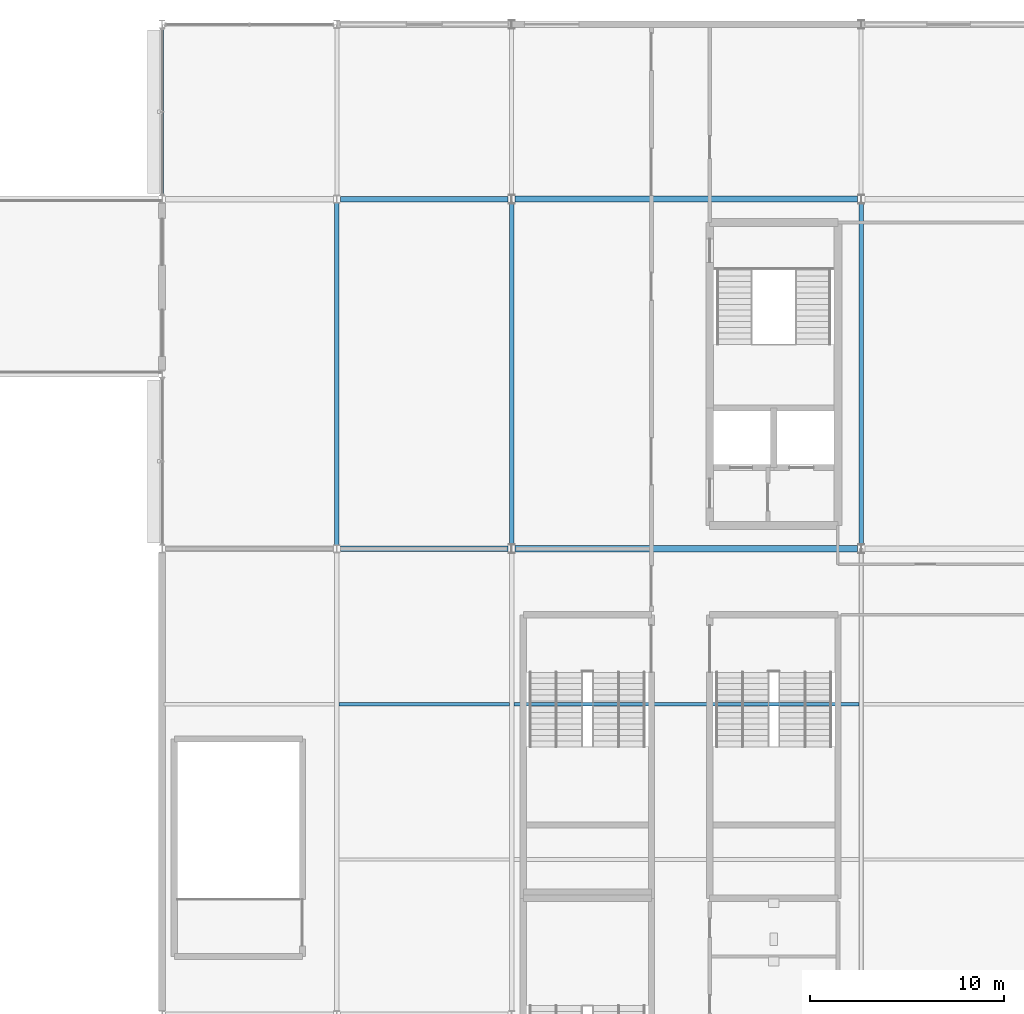
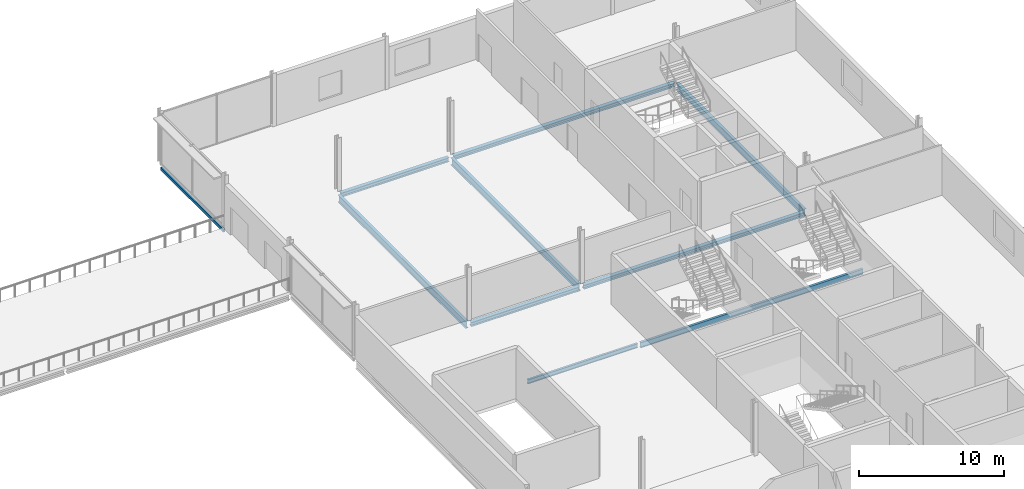
# One storey, part 32 of 73: 10 beams.
"""IFC4 building model written with IfcOpenShell, lengths in metres."""

from ifc_helpers import new_model, si_unit, direction, frame, origin, origin_2d, place, context, subcontext, project, spatial, hollow_rectangle, i_section, extrude, material, material_profile, profile_set, type_object, element, save


model = new_model("IFC4")

# Units and contexts
model_context = context("Model", 3, precision=1e-05, world=origin(), true_north=direction((0.0, 1.0)))
body_context = subcontext(model_context, "Body", "Model", "MODEL_VIEW")
ifc_project = project(units=[si_unit("LENGTHUNIT", "METRE"), si_unit("AREAUNIT", "SQUARE_METRE"), si_unit("VOLUMEUNIT", "CUBIC_METRE"), si_unit("PLANEANGLEUNIT", "RADIAN"), si_unit("MASSUNIT", "GRAM", prefix="KILO")], contexts=[model_context])

# Site, building, storey
site_placement = place(None, origin())
site = spatial("IfcSite", under=ifc_project, at=site_placement, CompositionType="ELEMENT")
building_placement = place(site_placement, origin())
building = spatial("IfcBuilding", under=site, at=building_placement, Name="Kisiwana Market Hall", CompositionType="ELEMENT")
storey_placement = place(building_placement, frame((0.0, 0.0, 33.300048828125)))
storey = spatial("IfcBuildingStorey", under=building, at=storey_placement, Name="L07", CompositionType="ELEMENT", Elevation=33.300048828125)

# Beams
ifc_material_1 = material(Name="Steel S355", Category="steel")
ifc_material_profile_1 = material_profile(ifc_material_1, i_section(OverallWidth=0.300048828125, OverallDepth=0.360107421875, WebThickness=0.012451171875, FlangeThickness=0.0224609375, at=origin_2d()), Name="HEB 360")
ifc_profile_set_1 = profile_set([ifc_material_profile_1], Name="Steel S355")
beam_type_1 = type_object("IfcBeamType", Name="BM-GIRD-HEB360", PredefinedType="BEAM", material=ifc_profile_set_1)
for number, where, z_axis, x_axis, name in (
    (1, (162.18115234375, 84.0, -0.4599609375), (1.0, 0.0, 0.0), (0.0, 1.0, 0.0), "Floor beam B-1998"),
    (2, (162.18115234375, 102.0, -0.4599609375), (1.0, 0.0, 0.0), (0.0, 1.0, 0.0), "Floor beam B-2018"),
):
    element("IfcBeam", number, at=place(storey_placement, frame(where, z_axis=z_axis, x_axis=x_axis)), inside=storey, type_object=beam_type_1, Name=name, PredefinedType="BEAM", context=body_context, shape_type="SweptSolid", body=[
        extrude(i_section(OverallWidth=0.300048828125, OverallDepth=0.360107421875, WebThickness=0.012451171875, FlangeThickness=0.0224609375, at=origin_2d()), origin(), (0.0, 0.0, 1.0), 8.635498046875),
    ])
ifc_material_2 = material(Name="Steel S355", Category="steel")
ifc_material_profile_2 = material_profile(ifc_material_2, i_section(OverallWidth=0.22900390625, OverallDepth=0.6123046875, WebThickness=0.011962890625, FlangeThickness=0.01953125, at=origin_2d()), Name="UB 610x229x125")
ifc_profile_set_2 = profile_set([ifc_material_profile_2], Name="Steel S355")
beam_type_2 = type_object("IfcBeamType", Name="BM-GIRD-UB610H", PredefinedType="BEAM", material=ifc_profile_set_2)
beam_1_placement = place(storey_placement, frame((162.0, 84.177001953125, -0.586181640625), z_axis=(0.0, 1.0, 0.0), x_axis=(-1.0, 0.0, 0.0)))
element("IfcBeam", 3, at=beam_1_placement, inside=storey, type_object=beam_type_2, Name="Primary girder B-1915", PredefinedType="BEAM", context=body_context, shape_type="SweptSolid", body=[
    extrude(i_section(OverallWidth=0.22900390625, OverallDepth=0.6123046875, WebThickness=0.011962890625, FlangeThickness=0.01953125, at=origin_2d()), origin(), (0.0, 0.0, 1.0), 17.64599609375),
])
for number, where, z_axis, x_axis, name in (
    (4, (171.0, 84.183349609375, -0.586181640625), (0.0, 1.0, 0.0), (-1.0, 0.0, 0.0), "Primary girder B-1919"),
    (5, (189.0, 84.183349609375, -0.586181640625), (0.0, 1.0, 0.0), (-1.0, 0.0, 0.0), "Primary girder B-1925"),
):
    element("IfcBeam", number, at=place(storey_placement, frame(where, z_axis=z_axis, x_axis=x_axis)), inside=storey, type_object=beam_type_2, Name=name, PredefinedType="BEAM", context=body_context, shape_type="SweptSolid", body=[
        extrude(i_section(OverallWidth=0.22900390625, OverallDepth=0.6123046875, WebThickness=0.011962890625, FlangeThickness=0.01953125, at=origin_2d()), origin(), (0.0, 0.0, 1.0), 17.63330078125),
    ])
ifc_material_3 = material(Name="Steel S355", Category="steel")
ifc_material_profile_3 = material_profile(ifc_material_3, i_section(OverallWidth=0.17138671875, OverallDepth=0.35498046875, WebThickness=0.00732421875, FlangeThickness=0.011474609375, at=origin_2d()), Name="UB 356x171x51")
ifc_profile_set_3 = profile_set([ifc_material_profile_3], Name="Steel S355")
beam_type_3 = type_object("IfcBeamType", Name="BM-JOIST-UB356", PredefinedType="JOIST", material=ifc_profile_set_3)
beam_2_placement = place(storey_placement, frame((162.113525390625, 76.0, -0.45751953125), z_axis=(1.0, 0.0, 0.0), x_axis=(0.0, 1.0, 0.0)))
element("IfcBeam", 6, at=beam_2_placement, inside=storey, type_object=beam_type_3, Name="Secondary floor joist B-1952", PredefinedType="JOIST", context=body_context, shape_type="SweptSolid", body=[
    extrude(i_section(OverallWidth=0.17138671875, OverallDepth=0.35498046875, WebThickness=0.00732421875, FlangeThickness=0.011474609375, at=origin_2d()), origin(), (0.0, 0.0, 1.0), 8.77294921875),
])
ifc_material_4 = material(Name="Steel S355", Category="steel")
ifc_material_profile_4 = material_profile(ifc_material_4, i_section(OverallWidth=0.18994140625, OverallDepth=0.453369140625, WebThickness=0.008544921875, FlangeThickness=0.0126953125, at=origin_2d()), Name="UB 457x191x67")
ifc_profile_set_4 = profile_set([ifc_material_profile_4], Name="Steel S355")
beam_type_4 = type_object("IfcBeamType", Name="BM-JOIST-UB457", PredefinedType="JOIST", material=ifc_profile_set_4)
beam_3_placement = place(storey_placement, frame((171.113525390625, 76.0, -0.5068359375), z_axis=(1.0, 0.0, 0.0), x_axis=(0.0, 1.0, 0.0)))
element("IfcBeam", 7, at=beam_3_placement, inside=storey, type_object=beam_type_4, Name="Secondary floor joist B-1953", PredefinedType="JOIST", context=body_context, shape_type="SweptSolid", body=[
    extrude(i_section(OverallWidth=0.18994140625, OverallDepth=0.453369140625, WebThickness=0.008544921875, FlangeThickness=0.0126953125, at=origin_2d()), origin(), (0.0, 0.0, 1.0), 17.77294921875),
])
ifc_material_5 = material(Name="Steel S355", Category="steel")
ifc_material_profile_5 = material_profile(ifc_material_5, i_section(OverallWidth=0.314453125, OverallDepth=0.33984375, WebThickness=0.01904296875, FlangeThickness=0.031494140625, at=origin_2d()), Name="UC 305x305x198")
ifc_profile_set_5 = profile_set([ifc_material_profile_5], Name="Steel S355")
beam_type_5 = type_object("IfcBeamType", Name="BM-SKYBR-CHORD", PredefinedType="BEAM", material=ifc_profile_set_5)
for number, where, z_axis, x_axis, name in (
    (8, (171.183349609375, 84.0, -0.449951171875), (1.0, 0.0, 0.0), (0.0, 1.0, 0.0), "Floor beam B-1999"),
    (9, (171.183349609375, 102.0, -0.449951171875), (1.0, 0.0, 0.0), (0.0, 1.0, 0.0), "Floor beam B-2019"),
):
    element("IfcBeam", number, at=place(storey_placement, frame(where, z_axis=z_axis, x_axis=x_axis)), inside=storey, type_object=beam_type_5, Name=name, PredefinedType="BEAM", context=body_context, shape_type="SweptSolid", body=[
        extrude(i_section(OverallWidth=0.314453125, OverallDepth=0.33984375, WebThickness=0.01904296875, FlangeThickness=0.031494140625, at=origin_2d()), origin(), (0.0, 0.0, 1.0), 17.63330078125),
    ])
ifc_material_6 = material(Name="Steel S355", Category="steel")
ifc_material_profile_6 = material_profile(ifc_material_6, hollow_rectangle(XDim=0.14990234375, YDim=0.25, WallThickness=0.010009765625, at=origin_2d()), Name="RHS 250x150x10.0")
ifc_profile_set_6 = profile_set([ifc_material_profile_6], Name="Steel S355")
beam_type_6 = type_object("IfcBeamType", Name="BM-SPAN-RHS250", PredefinedType="SPANDREL", material=ifc_profile_set_6)
beam_4_placement = place(storey_placement, frame((153.0, 102.177001953125, -0.405029296875), z_axis=(0.0, 1.0, 0.0), x_axis=(-1.0, 0.0, 0.0)))
element("IfcBeam", 10, at=beam_4_placement, inside=storey, type_object=beam_type_6, Name="Floor beam B-2048", PredefinedType="SPANDREL", context=body_context, shape_type="SweptSolid", body=[
    extrude(hollow_rectangle(XDim=0.14990234375, YDim=0.25, WallThickness=0.010009765625, at=origin_2d()), origin(), (0.0, 0.0, 1.0), 8.64599609375),
])

save(model, "model.ifc")
